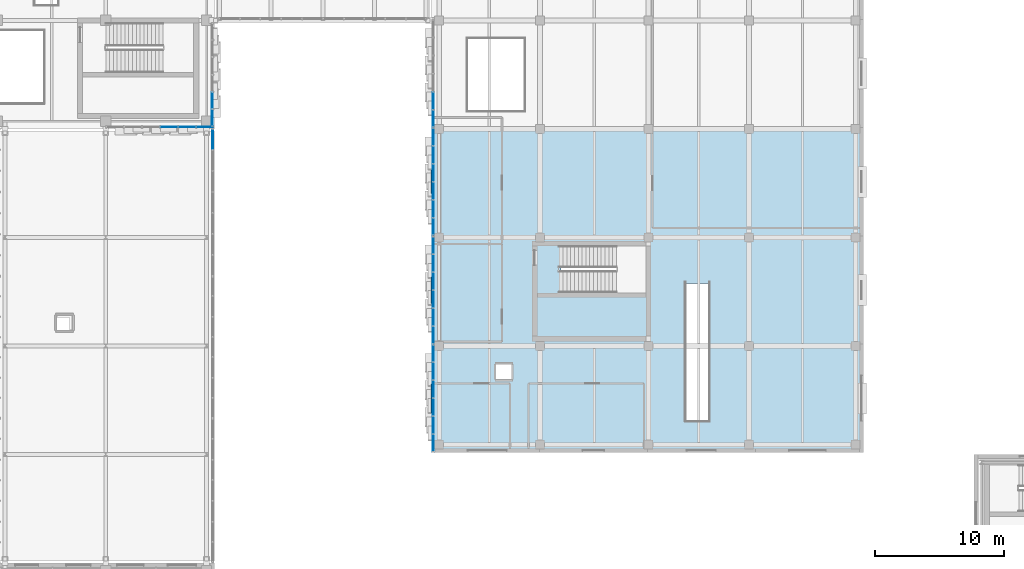
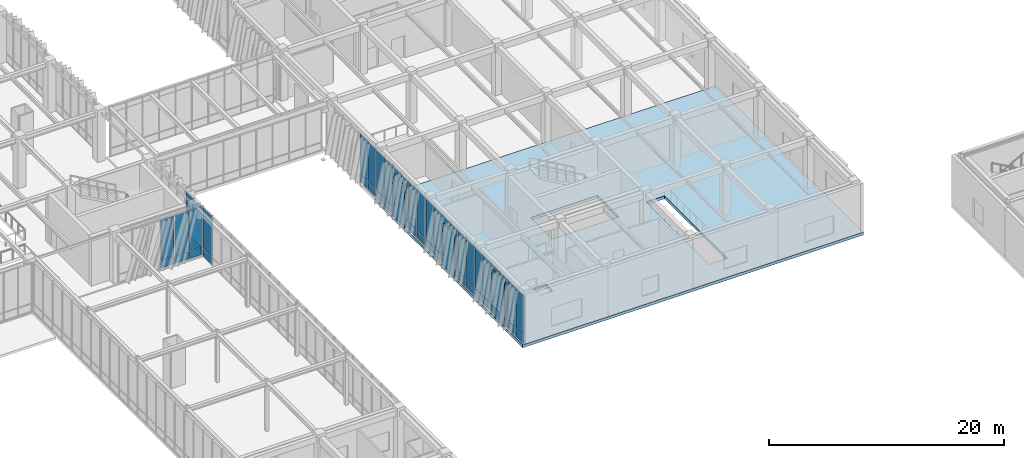
# One storey, part 90 of 139: 55 plates, 1 slab, 7 elements without a shape of their own.
"""IFC4 building model written with IfcOpenShell, lengths in metres."""

from ifc_helpers import new_model, si_unit, direction, frame, origin, origin_2d, place, context, subcontext, project, spatial, polyline, rectangle, outline, extrude, material, layer, layer_set, type_object, element, aggregate, save


model = new_model("IFC4")

# Units and contexts
model_context = context("Model", 3, precision=1e-05, world=origin(), true_north=direction((0.0, 1.0)))
body_context = subcontext(model_context, "Body", "Model", "MODEL_VIEW")
ifc_project = project(units=[si_unit("LENGTHUNIT", "METRE"), si_unit("AREAUNIT", "SQUARE_METRE"), si_unit("VOLUMEUNIT", "CUBIC_METRE"), si_unit("PLANEANGLEUNIT", "RADIAN"), si_unit("MASSUNIT", "GRAM", prefix="KILO")], contexts=[model_context])

# Site, building, storey
site_placement = place(None, origin())
site = spatial("IfcSite", under=ifc_project, at=site_placement, CompositionType="ELEMENT")
building_placement = place(site_placement, origin())
building = spatial("IfcBuilding", under=site, at=building_placement, Name="Zayran Congress Hotel", CompositionType="ELEMENT")
storey_placement = place(building_placement, frame((0.0, 0.0, 5.39990234375)))
storey = spatial("IfcBuildingStorey", under=building, at=storey_placement, Name="L01", CompositionType="ELEMENT", Elevation=5.39990234375)

# Slab
ifc_material_1 = material(Name="Concrete C32/40", Category="concrete")
ifc_layer_1 = layer(ifc_material_1, 0.300048828125)
ifc_layer_set_1 = layer_set([ifc_layer_1], Name="Concrete C32/40")
slab_type = type_object("IfcSlabType", Name="SL-FL-300", PredefinedType="FLOOR", material=ifc_layer_set_1)
slab_placement = place(storey_placement, frame((0.0, 0.0, -0.2998046875)))
element("IfcSlab", 1, at=slab_placement, inside=storey, type_object=slab_type, Name="SLB-V4-L01-019", PredefinedType="FLOOR", context=body_context, shape_type="SweptSolid", body=[
    extrude(outline(polyline([(109.199951171875, 42.550048828125), (142.64990234375, 42.550048828125), (142.64990234375, 67.60009765625), (109.199951171875, 67.60009765625), (109.199951171875, 42.550048828125)]), holes=[polyline([(119.239990234375, 54.909912109375), (125.800048828125, 54.909912109375), (125.800048828125, 58.550048828125), (119.239990234375, 58.550048828125), (119.239990234375, 54.909912109375)]), polyline([(128.89990234375, 45.0), (130.699951171875, 45.0), (130.699951171875, 55.64990234375), (128.89990234375, 55.64990234375), (128.89990234375, 45.0)]), polyline([(114.199951171875, 48.199951171875), (115.419921875, 48.199951171875), (115.419921875, 49.3798828125), (114.199951171875, 49.3798828125), (114.199951171875, 48.199951171875)])]), origin(), (0.0, 0.0, 1.0), 0.2998046875),
])

# Plates
ifc_material_2 = material(Name="Ajlun reconstituted limestone claustra", Category="masonry")
ifc_layer_2 = layer(ifc_material_2, 0.139892578125)
ifc_layer_set_2 = layer_set([ifc_layer_2], Name="Ajlun reconstituted limestone claustra")
plate_type_1 = type_object("IfcPlateType", Name="TP-CLS-02", PredefinedType="USERDEFINED", material=ifc_layer_set_2)
plate_1_placement = place(storey_placement, frame((109.280029296875, 46.739990234375, 0.0), z_axis=(0.0, 0.0, 1.0), x_axis=(0.0, 1.0, 0.0)))
element("IfcPlate", 2, at=plate_1_placement, inside=storey, type_object=plate_type_1, Name="Pierced Claustra Screen 17", ObjectType="CLAUSTRA SCREEN", PredefinedType="USERDEFINED", context=body_context, shape_type="SweptSolid", body=[
    extrude(rectangle(XDim=2.199951171875, YDim=0.139892578125, at=origin_2d()), origin(), (0.0, 0.0, 1.0), 4.60009765625),
])
ifc_layer_3 = layer(ifc_material_2, 0.139892578125)
ifc_layer_set_3 = layer_set([ifc_layer_3], Name="Ajlun reconstituted limestone claustra")
plate_type_2 = type_object("IfcPlateType", Name="TP-CLS-03", PredefinedType="USERDEFINED", material=ifc_layer_set_3)
plate_2_placement = place(storey_placement, frame((109.280029296875, 55.12109375, 0.000244140625), z_axis=(0.0, 0.0, 1.0), x_axis=(0.0, 1.0, 0.0)))
element("IfcPlate", 3, at=plate_2_placement, inside=storey, type_object=plate_type_2, Name="Pierced Claustra Screen 18", ObjectType="CLAUSTRA SCREEN", PredefinedType="USERDEFINED", context=body_context, shape_type="SweptSolid", body=[
    extrude(rectangle(XDim=2.0, YDim=0.139892578125, at=origin_2d()), origin(), (0.0, 0.0, 1.0), 4.39990234375),
])
ifc_layer_4 = layer(ifc_material_2, 0.139892578125)
ifc_layer_set_4 = layer_set([ifc_layer_4], Name="Ajlun reconstituted limestone claustra")
plate_type_3 = type_object("IfcPlateType", Name="TP-CLS-04", PredefinedType="USERDEFINED", material=ifc_layer_set_4)
plate_3_placement = place(storey_placement, frame((109.280029296875, 63.5029296875, 0.000244140625), z_axis=(0.0, 0.0, 1.0), x_axis=(0.0, 1.0, 0.0)))
element("IfcPlate", 4, at=plate_3_placement, inside=storey, type_object=plate_type_3, Name="Pierced Claustra Screen 19", ObjectType="CLAUSTRA SCREEN", PredefinedType="USERDEFINED", context=body_context, shape_type="SweptSolid", body=[
    extrude(rectangle(XDim=1.800048828125, YDim=0.139892578125, at=origin_2d()), origin(), (0.0, 0.0, 1.0), 4.39990234375),
])

# Curtain wall, plates
ifc_material_3 = material(Name="Anodised aluminium and low-E insulated glass", Category="aluminium")
ifc_layer_5 = layer(ifc_material_3, 0.179931640625)
ifc_layer_set_5 = layer_set([ifc_layer_5], Name="Anodised aluminium and low-E insulated glass")
curtain_wall_type_1 = type_object("IfcCurtainWallType", Name="CW-V1S-L01-CW-11-8380-5080", PredefinedType="USERDEFINED", material=ifc_layer_set_5)
curtain_wall_1_placement = place(storey_placement, origin())
curtain_wall_1 = element("IfcCurtainWall", 5, at=curtain_wall_1_placement, inside=storey, type_object=curtain_wall_type_1, Name="CW-V1S-L01-9", ObjectType="CURTAIN WALL", PredefinedType="USERDEFINED")
ifc_layer_6 = layer(ifc_material_3, 0.028076171875)
ifc_layer_set_6 = layer_set([ifc_layer_6], Name="Anodised aluminium and low-E insulated glass")
plate_type_4 = type_object("IfcPlateType", Name="CWP-GL-1277-4150", PredefinedType="CURTAIN_PANEL", material=ifc_layer_set_6)
plate_4_placement = place(storey_placement, frame((88.898193359375, 67.75, 0.8701171875), z_axis=(0.0, 0.0, 1.0), x_axis=(1.0, 0.0, 0.0)))
plate_4 = element("IfcPlate", 6, at=plate_4_placement, type_object=plate_type_4, Name="CW-11 Glazed Panel 4", PredefinedType="CURTAIN_PANEL", context=body_context, shape_type="SweptSolid", body=[
    extrude(rectangle(XDim=1.316650390625, YDim=0.028076171875, at=origin_2d()), origin(), (0.0, 0.0, 1.0), 4.14990234375),
])
plate_5_placement = place(storey_placement, frame((90.294921875, 67.75, 0.8701171875), z_axis=(0.0, 0.0, 1.0), x_axis=(1.0, 0.0, 0.0)))
plate_5 = element("IfcPlate", 7, at=plate_5_placement, type_object=plate_type_4, Name="CW-11 Glazed Panel 5", PredefinedType="CURTAIN_PANEL", context=body_context, shape_type="SweptSolid", body=[
    extrude(rectangle(XDim=1.316650390625, YDim=0.028076171875, at=origin_2d()), origin(), (0.0, 0.0, 1.0), 4.14990234375),
])
plate_6_placement = place(storey_placement, frame((91.671630859375, 67.75, 0.8701171875), z_axis=(0.0, 0.0, 1.0), x_axis=(1.0, 0.0, 0.0)))
plate_6 = element("IfcPlate", 8, at=plate_6_placement, type_object=plate_type_4, Name="CW-11 Glazed Panel 6", PredefinedType="CURTAIN_PANEL", context=body_context, shape_type="SweptSolid", body=[
    extrude(rectangle(XDim=1.276611328125, YDim=0.028076171875, at=origin_2d()), origin(), (0.0, 0.0, 1.0), 4.14990234375),
])
ifc_material_4 = material(Name="Insulated warm bronze aluminium spandrel panel", Category="aluminium")
ifc_layer_7 = layer(ifc_material_4, 0.06005859375)
ifc_layer_set_7 = layer_set([ifc_layer_7], Name="Insulated warm bronze aluminium spandrel panel")
plate_type_5 = type_object("IfcPlateType", Name="CWP-SP-1277-750", PredefinedType="CURTAIN_PANEL", material=ifc_layer_set_7)
plate_7_placement = place(storey_placement, frame((88.898193359375, 67.75, 0.06005859375), z_axis=(0.0, 0.0, 1.0), x_axis=(1.0, 0.0, 0.0)))
plate_7 = element("IfcPlate", 9, at=plate_7_placement, type_object=plate_type_5, Name="CW-11 Spandrel Panel 4", PredefinedType="CURTAIN_PANEL", context=body_context, shape_type="SweptSolid", body=[
    extrude(rectangle(XDim=1.316650390625, YDim=0.06005859375, at=origin_2d()), origin(), (0.0, 0.0, 1.0), 0.75),
])
plate_8_placement = place(storey_placement, frame((90.294921875, 67.75, 0.06005859375), z_axis=(0.0, 0.0, 1.0), x_axis=(1.0, 0.0, 0.0)))
plate_8 = element("IfcPlate", 10, at=plate_8_placement, type_object=plate_type_5, Name="CW-11 Spandrel Panel 5", PredefinedType="CURTAIN_PANEL", context=body_context, shape_type="SweptSolid", body=[
    extrude(rectangle(XDim=1.316650390625, YDim=0.06005859375, at=origin_2d()), origin(), (0.0, 0.0, 1.0), 0.75),
])
plate_9_placement = place(storey_placement, frame((91.671630859375, 67.75, 0.06005859375), z_axis=(0.0, 0.0, 1.0), x_axis=(1.0, 0.0, 0.0)))
plate_9 = element("IfcPlate", 11, at=plate_9_placement, type_object=plate_type_5, Name="CW-11 Spandrel Panel 6", PredefinedType="CURTAIN_PANEL", context=body_context, shape_type="SweptSolid", body=[
    extrude(rectangle(XDim=1.276611328125, YDim=0.06005859375, at=origin_2d()), origin(), (0.0, 0.0, 1.0), 0.75),
])
aggregate(curtain_wall_1, [plate_7, plate_4, plate_8, plate_5, plate_9, plate_6])

ifc_layer_8 = layer(ifc_material_3, 0.179931640625)
ifc_layer_set_8 = layer_set([ifc_layer_8], Name="Anodised aluminium and low-E insulated glass")
curtain_wall_type_2 = type_object("IfcCurtainWallType", Name="CW-V1E-L01-CW-41-8040-5080", PredefinedType="USERDEFINED", material=ifc_layer_set_8)
curtain_wall_2_placement = place(storey_placement, origin())
curtain_wall_2 = element("IfcCurtainWall", 12, at=curtain_wall_2_placement, inside=storey, type_object=curtain_wall_type_2, Name="CW-V1E-L01-0", ObjectType="CURTAIN WALL", PredefinedType="USERDEFINED")
ifc_layer_9 = layer(ifc_material_3, 0.028076171875)
ifc_layer_set_9 = layer_set([ifc_layer_9], Name="Anodised aluminium and low-E insulated glass")
plate_type_6 = type_object("IfcPlateType", Name="CWP-GL-1220-4150", PredefinedType="CURTAIN_PANEL", material=ifc_layer_set_9)
plate_10_placement = place(storey_placement, frame((92.25, 68.469970703125, 0.8701171875), z_axis=(0.0, 0.0, 1.0), x_axis=(0.0, 1.0, 0.0)))
plate_10 = element("IfcPlate", 13, at=plate_10_placement, type_object=plate_type_6, Name="CW-41 Glazed Panel 1", PredefinedType="CURTAIN_PANEL", context=body_context, shape_type="SweptSolid", body=[
    extrude(rectangle(XDim=1.219970703125, YDim=0.028076171875, at=origin_2d()), origin(), (0.0, 0.0, 1.0), 4.14990234375),
])
plate_11_placement = place(storey_placement, frame((92.25, 69.7900390625, 0.8701171875), z_axis=(0.0, 0.0, 1.0), x_axis=(0.0, 1.0, 0.0)))
plate_11 = element("IfcPlate", 14, at=plate_11_placement, type_object=plate_type_6, Name="CW-41 Glazed Panel 2", PredefinedType="CURTAIN_PANEL", context=body_context, shape_type="SweptSolid", body=[
    extrude(rectangle(XDim=1.260009765625, YDim=0.028076171875, at=origin_2d()), origin(), (0.0, 0.0, 1.0), 4.14990234375),
])
ifc_layer_10 = layer(ifc_material_4, 0.06005859375)
ifc_layer_set_10 = layer_set([ifc_layer_10], Name="Insulated warm bronze aluminium spandrel panel")
plate_type_7 = type_object("IfcPlateType", Name="CWP-SP-1220-750", PredefinedType="CURTAIN_PANEL", material=ifc_layer_set_10)
plate_12_placement = place(storey_placement, frame((92.25, 68.469970703125, 0.06005859375), z_axis=(0.0, 0.0, 1.0), x_axis=(0.0, 1.0, 0.0)))
plate_12 = element("IfcPlate", 15, at=plate_12_placement, type_object=plate_type_7, Name="CW-41 Spandrel Panel 1", PredefinedType="CURTAIN_PANEL", context=body_context, shape_type="SweptSolid", body=[
    extrude(rectangle(XDim=1.219970703125, YDim=0.06005859375, at=origin_2d()), origin(), (0.0, 0.0, 1.0), 0.75),
])
plate_13_placement = place(storey_placement, frame((92.25, 69.7900390625, 0.06005859375), z_axis=(0.0, 0.0, 1.0), x_axis=(0.0, 1.0, 0.0)))
plate_13 = element("IfcPlate", 16, at=plate_13_placement, type_object=plate_type_7, Name="CW-41 Spandrel Panel 2", PredefinedType="CURTAIN_PANEL", context=body_context, shape_type="SweptSolid", body=[
    extrude(rectangle(XDim=1.260009765625, YDim=0.06005859375, at=origin_2d()), origin(), (0.0, 0.0, 1.0), 0.75),
])
aggregate(curtain_wall_2, [plate_12, plate_10, plate_13, plate_11])

ifc_layer_11 = layer(ifc_material_3, 0.179931640625)
ifc_layer_set_11 = layer_set([ifc_layer_11], Name="Anodised aluminium and low-E insulated glass")
curtain_wall_type_3 = type_object("IfcCurtainWallType", Name="CW-V4W-L01-CW-51-8376-5100", PredefinedType="USERDEFINED", material=ifc_layer_set_11)
curtain_wall_3_placement = place(storey_placement, origin())
curtain_wall_3 = element("IfcCurtainWall", 17, at=curtain_wall_3_placement, inside=storey, type_object=curtain_wall_type_3, Name="CW-V4W-L01-0", ObjectType="CURTAIN WALL", PredefinedType="USERDEFINED")
ifc_layer_12 = layer(ifc_material_3, 0.028076171875)
ifc_layer_set_12 = layer_set([ifc_layer_12], Name="Anodised aluminium and low-E insulated glass")
plate_type_8 = type_object("IfcPlateType", Name="CWP-GL-1276-4170", PredefinedType="CURTAIN_PANEL", material=ifc_layer_set_12)
plate_14_placement = place(storey_placement, frame((109.35009765625, 50.2080078125, 0.8701171875), z_axis=(0.0, 0.0, 1.0), x_axis=(0.0, 1.0, 0.0)))
plate_14 = element("IfcPlate", 18, at=plate_14_placement, type_object=plate_type_8, Name="CW-51 Glazed Panel 1", PredefinedType="CURTAIN_PANEL", context=body_context, shape_type="SweptSolid", body=[
    extrude(rectangle(XDim=1.27587890625, YDim=0.028076171875, at=origin_2d()), origin(), (0.0, 0.0, 1.0), 4.169921875),
])
plate_15_placement = place(storey_placement, frame((109.35009765625, 48.83203125, 0.8701171875), z_axis=(0.0, 0.0, 1.0), x_axis=(0.0, 1.0, 0.0)))
plate_15 = element("IfcPlate", 19, at=plate_15_placement, type_object=plate_type_8, Name="CW-51 Glazed Panel 2", PredefinedType="CURTAIN_PANEL", context=body_context, shape_type="SweptSolid", body=[
    extrude(rectangle(XDim=1.31591796875, YDim=0.028076171875, at=origin_2d()), origin(), (0.0, 0.0, 1.0), 4.169921875),
])
plate_16_placement = place(storey_placement, frame((109.35009765625, 47.43603515625, 0.8701171875), z_axis=(0.0, 0.0, 1.0), x_axis=(0.0, 1.0, 0.0)))
plate_16 = element("IfcPlate", 20, at=plate_16_placement, type_object=plate_type_8, Name="CW-51 Glazed Panel 3", PredefinedType="CURTAIN_PANEL", context=body_context, shape_type="SweptSolid", body=[
    extrude(rectangle(XDim=1.31591796875, YDim=0.028076171875, at=origin_2d()), origin(), (0.0, 0.0, 1.0), 4.169921875),
])
plate_17_placement = place(storey_placement, frame((109.35009765625, 46.0400390625, 0.8701171875), z_axis=(0.0, 0.0, 1.0), x_axis=(0.0, 1.0, 0.0)))
plate_17 = element("IfcPlate", 21, at=plate_17_placement, type_object=plate_type_8, Name="CW-51 Glazed Panel 4", PredefinedType="CURTAIN_PANEL", context=body_context, shape_type="SweptSolid", body=[
    extrude(rectangle(XDim=1.31591796875, YDim=0.028076171875, at=origin_2d()), origin(), (0.0, 0.0, 1.0), 4.169921875),
])
plate_18_placement = place(storey_placement, frame((109.35009765625, 44.64404296875, 0.8701171875), z_axis=(0.0, 0.0, 1.0), x_axis=(0.0, 1.0, 0.0)))
plate_18 = element("IfcPlate", 22, at=plate_18_placement, type_object=plate_type_8, Name="CW-51 Glazed Panel 5", PredefinedType="CURTAIN_PANEL", context=body_context, shape_type="SweptSolid", body=[
    extrude(rectangle(XDim=1.31591796875, YDim=0.028076171875, at=origin_2d()), origin(), (0.0, 0.0, 1.0), 4.169921875),
])
plate_19_placement = place(storey_placement, frame((109.35009765625, 43.26806640625, 0.8701171875), z_axis=(0.0, 0.0, 1.0), x_axis=(0.0, 1.0, 0.0)))
plate_19 = element("IfcPlate", 23, at=plate_19_placement, type_object=plate_type_8, Name="CW-51 Glazed Panel 6", PredefinedType="CURTAIN_PANEL", context=body_context, shape_type="SweptSolid", body=[
    extrude(rectangle(XDim=1.27587890625, YDim=0.028076171875, at=origin_2d()), origin(), (0.0, 0.0, 1.0), 4.169921875),
])
ifc_layer_13 = layer(ifc_material_4, 0.06005859375)
ifc_layer_set_13 = layer_set([ifc_layer_13], Name="Insulated warm bronze aluminium spandrel panel")
plate_type_9 = type_object("IfcPlateType", Name="CWP-SP-1276-750", PredefinedType="CURTAIN_PANEL", material=ifc_layer_set_13)
plate_20_placement = place(storey_placement, frame((109.35009765625, 50.2080078125, 0.06005859375), z_axis=(0.0, 0.0, 1.0), x_axis=(0.0, 1.0, 0.0)))
plate_20 = element("IfcPlate", 24, at=plate_20_placement, type_object=plate_type_9, Name="CW-51 Spandrel Panel 1", PredefinedType="CURTAIN_PANEL", context=body_context, shape_type="SweptSolid", body=[
    extrude(rectangle(XDim=1.27587890625, YDim=0.06005859375, at=origin_2d()), origin(), (0.0, 0.0, 1.0), 0.75),
])
plate_21_placement = place(storey_placement, frame((109.35009765625, 48.83203125, 0.06005859375), z_axis=(0.0, 0.0, 1.0), x_axis=(0.0, 1.0, 0.0)))
plate_21 = element("IfcPlate", 25, at=plate_21_placement, type_object=plate_type_9, Name="CW-51 Spandrel Panel 2", PredefinedType="CURTAIN_PANEL", context=body_context, shape_type="SweptSolid", body=[
    extrude(rectangle(XDim=1.31591796875, YDim=0.06005859375, at=origin_2d()), origin(), (0.0, 0.0, 1.0), 0.75),
])
plate_22_placement = place(storey_placement, frame((109.35009765625, 47.43603515625, 0.06005859375), z_axis=(0.0, 0.0, 1.0), x_axis=(0.0, 1.0, 0.0)))
plate_22 = element("IfcPlate", 26, at=plate_22_placement, type_object=plate_type_9, Name="CW-51 Spandrel Panel 3", PredefinedType="CURTAIN_PANEL", context=body_context, shape_type="SweptSolid", body=[
    extrude(rectangle(XDim=1.31591796875, YDim=0.06005859375, at=origin_2d()), origin(), (0.0, 0.0, 1.0), 0.75),
])
plate_23_placement = place(storey_placement, frame((109.35009765625, 46.0400390625, 0.06005859375), z_axis=(0.0, 0.0, 1.0), x_axis=(0.0, 1.0, 0.0)))
plate_23 = element("IfcPlate", 27, at=plate_23_placement, type_object=plate_type_9, Name="CW-51 Spandrel Panel 4", PredefinedType="CURTAIN_PANEL", context=body_context, shape_type="SweptSolid", body=[
    extrude(rectangle(XDim=1.31591796875, YDim=0.06005859375, at=origin_2d()), origin(), (0.0, 0.0, 1.0), 0.75),
])
plate_24_placement = place(storey_placement, frame((109.35009765625, 44.64404296875, 0.06005859375), z_axis=(0.0, 0.0, 1.0), x_axis=(0.0, 1.0, 0.0)))
plate_24 = element("IfcPlate", 28, at=plate_24_placement, type_object=plate_type_9, Name="CW-51 Spandrel Panel 5", PredefinedType="CURTAIN_PANEL", context=body_context, shape_type="SweptSolid", body=[
    extrude(rectangle(XDim=1.31591796875, YDim=0.06005859375, at=origin_2d()), origin(), (0.0, 0.0, 1.0), 0.75),
])
plate_25_placement = place(storey_placement, frame((109.35009765625, 43.26806640625, 0.06005859375), z_axis=(0.0, 0.0, 1.0), x_axis=(0.0, 1.0, 0.0)))
plate_25 = element("IfcPlate", 29, at=plate_25_placement, type_object=plate_type_9, Name="CW-51 Spandrel Panel 6", PredefinedType="CURTAIN_PANEL", context=body_context, shape_type="SweptSolid", body=[
    extrude(rectangle(XDim=1.27587890625, YDim=0.06005859375, at=origin_2d()), origin(), (0.0, 0.0, 1.0), 0.75),
])
aggregate(curtain_wall_3, [plate_20, plate_14, plate_21, plate_15, plate_22, plate_16, plate_23, plate_17, plate_24, plate_18, plate_25, plate_19])

ifc_layer_14 = layer(ifc_material_3, 0.179931640625)
ifc_layer_set_14 = layer_set([ifc_layer_14], Name="Anodised aluminium and low-E insulated glass")
curtain_wall_type_4 = type_object("IfcCurtainWallType", Name="CW-V4W-L01-CW-52-8371-5100", PredefinedType="USERDEFINED", material=ifc_layer_set_14)
curtain_wall_4_placement = place(storey_placement, origin())
curtain_wall_4 = element("IfcCurtainWall", 30, at=curtain_wall_4_placement, inside=storey, type_object=curtain_wall_type_4, Name="CW-V4W-L01-1", ObjectType="CURTAIN WALL", PredefinedType="USERDEFINED")
ifc_layer_15 = layer(ifc_material_3, 0.028076171875)
ifc_layer_set_15 = layer_set([ifc_layer_15], Name="Anodised aluminium and low-E insulated glass")
plate_type_10 = type_object("IfcPlateType", Name="CWP-GL-1275-4170", PredefinedType="CURTAIN_PANEL", material=ifc_layer_set_15)
plate_26_placement = place(storey_placement, frame((109.35009765625, 58.58935546875, 0.8701171875), z_axis=(0.0, 0.0, 1.0), x_axis=(0.0, 1.0, 0.0)))
plate_26 = element("IfcPlate", 31, at=plate_26_placement, type_object=plate_type_10, Name="CW-52 Glazed Panel 1", PredefinedType="CURTAIN_PANEL", context=body_context, shape_type="SweptSolid", body=[
    extrude(rectangle(XDim=1.275146484375, YDim=0.028076171875, at=origin_2d()), origin(), (0.0, 0.0, 1.0), 4.169921875),
])
plate_27_placement = place(storey_placement, frame((109.35009765625, 57.214111328125, 0.8701171875), z_axis=(0.0, 0.0, 1.0), x_axis=(0.0, 1.0, 0.0)))
plate_27 = element("IfcPlate", 32, at=plate_27_placement, type_object=plate_type_10, Name="CW-52 Glazed Panel 2", PredefinedType="CURTAIN_PANEL", context=body_context, shape_type="SweptSolid", body=[
    extrude(rectangle(XDim=1.315185546875, YDim=0.028076171875, at=origin_2d()), origin(), (0.0, 0.0, 1.0), 4.169921875),
])
plate_28_placement = place(storey_placement, frame((109.35009765625, 55.819091796875, 0.8701171875), z_axis=(0.0, 0.0, 1.0), x_axis=(0.0, 1.0, 0.0)))
plate_28 = element("IfcPlate", 33, at=plate_28_placement, type_object=plate_type_10, Name="CW-52 Glazed Panel 3", PredefinedType="CURTAIN_PANEL", context=body_context, shape_type="SweptSolid", body=[
    extrude(rectangle(XDim=1.315185546875, YDim=0.028076171875, at=origin_2d()), origin(), (0.0, 0.0, 1.0), 4.169921875),
])
plate_29_placement = place(storey_placement, frame((109.35009765625, 54.423828125, 0.8701171875), z_axis=(0.0, 0.0, 1.0), x_axis=(0.0, 1.0, 0.0)))
plate_29 = element("IfcPlate", 34, at=plate_29_placement, type_object=plate_type_10, Name="CW-52 Glazed Panel 4", PredefinedType="CURTAIN_PANEL", context=body_context, shape_type="SweptSolid", body=[
    extrude(rectangle(XDim=1.315185546875, YDim=0.028076171875, at=origin_2d()), origin(), (0.0, 0.0, 1.0), 4.169921875),
])
plate_30_placement = place(storey_placement, frame((109.35009765625, 53.02880859375, 0.8701171875), z_axis=(0.0, 0.0, 1.0), x_axis=(0.0, 1.0, 0.0)))
plate_30 = element("IfcPlate", 35, at=plate_30_placement, type_object=plate_type_10, Name="CW-52 Glazed Panel 5", PredefinedType="CURTAIN_PANEL", context=body_context, shape_type="SweptSolid", body=[
    extrude(rectangle(XDim=1.315185546875, YDim=0.028076171875, at=origin_2d()), origin(), (0.0, 0.0, 1.0), 4.169921875),
])
plate_31_placement = place(storey_placement, frame((109.35009765625, 51.653564453125, 0.8701171875), z_axis=(0.0, 0.0, 1.0), x_axis=(0.0, 1.0, 0.0)))
plate_31 = element("IfcPlate", 36, at=plate_31_placement, type_object=plate_type_10, Name="CW-52 Glazed Panel 6", PredefinedType="CURTAIN_PANEL", context=body_context, shape_type="SweptSolid", body=[
    extrude(rectangle(XDim=1.275146484375, YDim=0.028076171875, at=origin_2d()), origin(), (0.0, 0.0, 1.0), 4.169921875),
])

ifc_layer_16 = layer(ifc_material_3, 0.179931640625)
ifc_layer_set_16 = layer_set([ifc_layer_16], Name="Anodised aluminium and low-E insulated glass")
curtain_wall_type_5 = type_object("IfcCurtainWallType", Name="CW-V4W-L01-CW-53-8372-5100", PredefinedType="USERDEFINED", material=ifc_layer_set_16)
curtain_wall_5_placement = place(storey_placement, origin())
curtain_wall_5 = element("IfcCurtainWall", 37, at=curtain_wall_5_placement, inside=storey, type_object=curtain_wall_type_5, Name="CW-V4W-L01-2", ObjectType="CURTAIN WALL", PredefinedType="USERDEFINED")
plate_32_placement = place(storey_placement, frame((109.35009765625, 66.97119140625, 0.8701171875), z_axis=(0.0, 0.0, 1.0), x_axis=(0.0, 1.0, 0.0)))
plate_32 = element("IfcPlate", 38, at=plate_32_placement, type_object=plate_type_10, Name="CW-53 Glazed Panel 1", PredefinedType="CURTAIN_PANEL", context=body_context, shape_type="SweptSolid", body=[
    extrude(rectangle(XDim=1.275390625, YDim=0.028076171875, at=origin_2d()), origin(), (0.0, 0.0, 1.0), 4.169921875),
])
plate_33_placement = place(storey_placement, frame((109.35009765625, 65.595947265625, 0.8701171875), z_axis=(0.0, 0.0, 1.0), x_axis=(0.0, 1.0, 0.0)))
plate_33 = element("IfcPlate", 39, at=plate_33_placement, type_object=plate_type_10, Name="CW-53 Glazed Panel 2", PredefinedType="CURTAIN_PANEL", context=body_context, shape_type="SweptSolid", body=[
    extrude(rectangle(XDim=1.315185546875, YDim=0.028076171875, at=origin_2d()), origin(), (0.0, 0.0, 1.0), 4.169921875),
])
plate_34_placement = place(storey_placement, frame((109.35009765625, 64.20068359375, 0.8701171875), z_axis=(0.0, 0.0, 1.0), x_axis=(0.0, 1.0, 0.0)))
plate_34 = element("IfcPlate", 40, at=plate_34_placement, type_object=plate_type_10, Name="CW-53 Glazed Panel 3", PredefinedType="CURTAIN_PANEL", context=body_context, shape_type="SweptSolid", body=[
    extrude(rectangle(XDim=1.315185546875, YDim=0.028076171875, at=origin_2d()), origin(), (0.0, 0.0, 1.0), 4.169921875),
])
plate_35_placement = place(storey_placement, frame((109.35009765625, 62.805419921875, 0.8701171875), z_axis=(0.0, 0.0, 1.0), x_axis=(0.0, 1.0, 0.0)))
plate_35 = element("IfcPlate", 41, at=plate_35_placement, type_object=plate_type_10, Name="CW-53 Glazed Panel 4", PredefinedType="CURTAIN_PANEL", context=body_context, shape_type="SweptSolid", body=[
    extrude(rectangle(XDim=1.315185546875, YDim=0.028076171875, at=origin_2d()), origin(), (0.0, 0.0, 1.0), 4.169921875),
])
plate_36_placement = place(storey_placement, frame((109.35009765625, 61.409912109375, 0.8701171875), z_axis=(0.0, 0.0, 1.0), x_axis=(0.0, 1.0, 0.0)))
plate_36 = element("IfcPlate", 42, at=plate_36_placement, type_object=plate_type_10, Name="CW-53 Glazed Panel 5", PredefinedType="CURTAIN_PANEL", context=body_context, shape_type="SweptSolid", body=[
    extrude(rectangle(XDim=1.315185546875, YDim=0.028076171875, at=origin_2d()), origin(), (0.0, 0.0, 1.0), 4.169921875),
])
plate_37_placement = place(storey_placement, frame((109.35009765625, 60.03466796875, 0.8701171875), z_axis=(0.0, 0.0, 1.0), x_axis=(0.0, 1.0, 0.0)))
plate_37 = element("IfcPlate", 43, at=plate_37_placement, type_object=plate_type_10, Name="CW-53 Glazed Panel 6", PredefinedType="CURTAIN_PANEL", context=body_context, shape_type="SweptSolid", body=[
    extrude(rectangle(XDim=1.275390625, YDim=0.028076171875, at=origin_2d()), origin(), (0.0, 0.0, 1.0), 4.169921875),
])

ifc_layer_17 = layer(ifc_material_3, 0.179931640625)
ifc_layer_set_17 = layer_set([ifc_layer_17], Name="Anodised aluminium and low-E insulated glass")
curtain_wall_type_6 = type_object("IfcCurtainWallType", Name="CW-V4W-L01-CW-51-8371-5100", PredefinedType="USERDEFINED", material=ifc_layer_set_17)
curtain_wall_6_placement = place(storey_placement, origin())
curtain_wall_6 = element("IfcCurtainWall", 44, at=curtain_wall_6_placement, inside=storey, type_object=curtain_wall_type_6, Name="CW-V4W-L01-3", ObjectType="CURTAIN WALL", PredefinedType="USERDEFINED")
plate_38_placement = place(storey_placement, frame((109.35009765625, 69.791748046875, 0.8701171875), z_axis=(0.0, 0.0, 1.0), x_axis=(0.0, 1.0, 0.0)))
plate_38 = element("IfcPlate", 45, at=plate_38_placement, type_object=plate_type_10, Name="CW-51 Glazed Panel 5", PredefinedType="CURTAIN_PANEL", context=body_context, shape_type="SweptSolid", body=[
    extrude(rectangle(XDim=1.315185546875, YDim=0.028076171875, at=origin_2d()), origin(), (0.0, 0.0, 1.0), 4.169921875),
])
plate_39_placement = place(storey_placement, frame((109.35009765625, 68.41650390625, 0.8701171875), z_axis=(0.0, 0.0, 1.0), x_axis=(0.0, 1.0, 0.0)))
plate_39 = element("IfcPlate", 46, at=plate_39_placement, type_object=plate_type_10, Name="CW-51 Glazed Panel 6", PredefinedType="CURTAIN_PANEL", context=body_context, shape_type="SweptSolid", body=[
    extrude(rectangle(XDim=1.275146484375, YDim=0.028076171875, at=origin_2d()), origin(), (0.0, 0.0, 1.0), 4.169921875),
])

# Plate
ifc_layer_18 = layer(ifc_material_4, 0.06005859375)
ifc_layer_set_18 = layer_set([ifc_layer_18], Name="Insulated warm bronze aluminium spandrel panel")
plate_type_11 = type_object("IfcPlateType", Name="CWP-SP-1275-750", PredefinedType="CURTAIN_PANEL", material=ifc_layer_set_18)
plate_40_placement = place(storey_placement, frame((109.35009765625, 58.58935546875, 0.06005859375), z_axis=(0.0, 0.0, 1.0), x_axis=(0.0, 1.0, 0.0)))
plate_40 = element("IfcPlate", 47, at=plate_40_placement, type_object=plate_type_11, Name="CW-52 Spandrel Panel 1", PredefinedType="CURTAIN_PANEL", context=body_context, shape_type="SweptSolid", body=[
    extrude(rectangle(XDim=1.275146484375, YDim=0.06005859375, at=origin_2d()), origin(), (0.0, 0.0, 1.0), 0.75),
])

plate_41_placement = place(storey_placement, frame((109.35009765625, 57.214111328125, 0.06005859375), z_axis=(0.0, 0.0, 1.0), x_axis=(0.0, 1.0, 0.0)))
plate_41 = element("IfcPlate", 48, at=plate_41_placement, type_object=plate_type_11, Name="CW-52 Spandrel Panel 2", PredefinedType="CURTAIN_PANEL", context=body_context, shape_type="SweptSolid", body=[
    extrude(rectangle(XDim=1.315185546875, YDim=0.06005859375, at=origin_2d()), origin(), (0.0, 0.0, 1.0), 0.75),
])

plate_42_placement = place(storey_placement, frame((109.35009765625, 55.819091796875, 0.06005859375), z_axis=(0.0, 0.0, 1.0), x_axis=(0.0, 1.0, 0.0)))
plate_42 = element("IfcPlate", 49, at=plate_42_placement, type_object=plate_type_11, Name="CW-52 Spandrel Panel 3", PredefinedType="CURTAIN_PANEL", context=body_context, shape_type="SweptSolid", body=[
    extrude(rectangle(XDim=1.315185546875, YDim=0.06005859375, at=origin_2d()), origin(), (0.0, 0.0, 1.0), 0.75),
])

plate_43_placement = place(storey_placement, frame((109.35009765625, 54.423828125, 0.06005859375), z_axis=(0.0, 0.0, 1.0), x_axis=(0.0, 1.0, 0.0)))
plate_43 = element("IfcPlate", 50, at=plate_43_placement, type_object=plate_type_11, Name="CW-52 Spandrel Panel 4", PredefinedType="CURTAIN_PANEL", context=body_context, shape_type="SweptSolid", body=[
    extrude(rectangle(XDim=1.315185546875, YDim=0.06005859375, at=origin_2d()), origin(), (0.0, 0.0, 1.0), 0.75),
])

plate_44_placement = place(storey_placement, frame((109.35009765625, 53.02880859375, 0.06005859375), z_axis=(0.0, 0.0, 1.0), x_axis=(0.0, 1.0, 0.0)))
plate_44 = element("IfcPlate", 51, at=plate_44_placement, type_object=plate_type_11, Name="CW-52 Spandrel Panel 5", PredefinedType="CURTAIN_PANEL", context=body_context, shape_type="SweptSolid", body=[
    extrude(rectangle(XDim=1.315185546875, YDim=0.06005859375, at=origin_2d()), origin(), (0.0, 0.0, 1.0), 0.75),
])

plate_45_placement = place(storey_placement, frame((109.35009765625, 51.653564453125, 0.06005859375), z_axis=(0.0, 0.0, 1.0), x_axis=(0.0, 1.0, 0.0)))
plate_45 = element("IfcPlate", 52, at=plate_45_placement, type_object=plate_type_11, Name="CW-52 Spandrel Panel 6", PredefinedType="CURTAIN_PANEL", context=body_context, shape_type="SweptSolid", body=[
    extrude(rectangle(XDim=1.275146484375, YDim=0.06005859375, at=origin_2d()), origin(), (0.0, 0.0, 1.0), 0.75),
])

aggregate(curtain_wall_4, [plate_40, plate_26, plate_41, plate_27, plate_42, plate_28, plate_43, plate_29, plate_44, plate_30, plate_45, plate_31])

plate_46_placement = place(storey_placement, frame((109.35009765625, 66.97119140625, 0.06005859375), z_axis=(0.0, 0.0, 1.0), x_axis=(0.0, 1.0, 0.0)))
plate_46 = element("IfcPlate", 53, at=plate_46_placement, type_object=plate_type_11, Name="CW-53 Spandrel Panel 1", PredefinedType="CURTAIN_PANEL", context=body_context, shape_type="SweptSolid", body=[
    extrude(rectangle(XDim=1.275390625, YDim=0.06005859375, at=origin_2d()), origin(), (0.0, 0.0, 1.0), 0.75),
])

plate_47_placement = place(storey_placement, frame((109.35009765625, 65.595947265625, 0.06005859375), z_axis=(0.0, 0.0, 1.0), x_axis=(0.0, 1.0, 0.0)))
plate_47 = element("IfcPlate", 54, at=plate_47_placement, type_object=plate_type_11, Name="CW-53 Spandrel Panel 2", PredefinedType="CURTAIN_PANEL", context=body_context, shape_type="SweptSolid", body=[
    extrude(rectangle(XDim=1.315185546875, YDim=0.06005859375, at=origin_2d()), origin(), (0.0, 0.0, 1.0), 0.75),
])

plate_48_placement = place(storey_placement, frame((109.35009765625, 64.20068359375, 0.06005859375), z_axis=(0.0, 0.0, 1.0), x_axis=(0.0, 1.0, 0.0)))
plate_48 = element("IfcPlate", 55, at=plate_48_placement, type_object=plate_type_11, Name="CW-53 Spandrel Panel 3", PredefinedType="CURTAIN_PANEL", context=body_context, shape_type="SweptSolid", body=[
    extrude(rectangle(XDim=1.315185546875, YDim=0.06005859375, at=origin_2d()), origin(), (0.0, 0.0, 1.0), 0.75),
])

plate_49_placement = place(storey_placement, frame((109.35009765625, 62.805419921875, 0.06005859375), z_axis=(0.0, 0.0, 1.0), x_axis=(0.0, 1.0, 0.0)))
plate_49 = element("IfcPlate", 56, at=plate_49_placement, type_object=plate_type_11, Name="CW-53 Spandrel Panel 4", PredefinedType="CURTAIN_PANEL", context=body_context, shape_type="SweptSolid", body=[
    extrude(rectangle(XDim=1.315185546875, YDim=0.06005859375, at=origin_2d()), origin(), (0.0, 0.0, 1.0), 0.75),
])

plate_50_placement = place(storey_placement, frame((109.35009765625, 61.409912109375, 0.06005859375), z_axis=(0.0, 0.0, 1.0), x_axis=(0.0, 1.0, 0.0)))
plate_50 = element("IfcPlate", 57, at=plate_50_placement, type_object=plate_type_11, Name="CW-53 Spandrel Panel 5", PredefinedType="CURTAIN_PANEL", context=body_context, shape_type="SweptSolid", body=[
    extrude(rectangle(XDim=1.315185546875, YDim=0.06005859375, at=origin_2d()), origin(), (0.0, 0.0, 1.0), 0.75),
])

plate_51_placement = place(storey_placement, frame((109.35009765625, 60.03466796875, 0.06005859375), z_axis=(0.0, 0.0, 1.0), x_axis=(0.0, 1.0, 0.0)))
plate_51 = element("IfcPlate", 58, at=plate_51_placement, type_object=plate_type_11, Name="CW-53 Spandrel Panel 6", PredefinedType="CURTAIN_PANEL", context=body_context, shape_type="SweptSolid", body=[
    extrude(rectangle(XDim=1.275390625, YDim=0.06005859375, at=origin_2d()), origin(), (0.0, 0.0, 1.0), 0.75),
])

aggregate(curtain_wall_5, [plate_46, plate_32, plate_47, plate_33, plate_48, plate_34, plate_49, plate_35, plate_50, plate_36, plate_51, plate_37])

plate_52_placement = place(storey_placement, frame((109.35009765625, 69.791748046875, 0.06005859375), z_axis=(0.0, 0.0, 1.0), x_axis=(0.0, 1.0, 0.0)))
plate_52 = element("IfcPlate", 59, at=plate_52_placement, type_object=plate_type_11, Name="CW-51 Spandrel Panel 5", PredefinedType="CURTAIN_PANEL", context=body_context, shape_type="SweptSolid", body=[
    extrude(rectangle(XDim=1.315185546875, YDim=0.06005859375, at=origin_2d()), origin(), (0.0, 0.0, 1.0), 0.75),
])

plate_53_placement = place(storey_placement, frame((109.35009765625, 68.41650390625, 0.06005859375), z_axis=(0.0, 0.0, 1.0), x_axis=(0.0, 1.0, 0.0)))
plate_53 = element("IfcPlate", 60, at=plate_53_placement, type_object=plate_type_11, Name="CW-51 Spandrel Panel 6", PredefinedType="CURTAIN_PANEL", context=body_context, shape_type="SweptSolid", body=[
    extrude(rectangle(XDim=1.275146484375, YDim=0.06005859375, at=origin_2d()), origin(), (0.0, 0.0, 1.0), 0.75),
])

aggregate(curtain_wall_6, [plate_52, plate_38, plate_53, plate_39])

# Curtain wall, plates
ifc_layer_19 = layer(ifc_material_3, 0.179931640625)
ifc_layer_set_19 = layer_set([ifc_layer_19], Name="Anodised aluminium and low-E insulated glass")
curtain_wall_type_7 = type_object("IfcCurtainWallType", Name="CW-BR2-L01-CW-BR2-11400-5160", PredefinedType="USERDEFINED", material=ifc_layer_set_19)
curtain_wall_7_placement = place(storey_placement, origin())
curtain_wall_7 = element("IfcCurtainWall", 61, at=curtain_wall_7_placement, inside=storey, type_object=curtain_wall_type_7, Name="CW-BR2E-L01-2", ObjectType="CURTAIN WALL", PredefinedType="USERDEFINED")
ifc_layer_20 = layer(ifc_material_4, 0.06005859375)
ifc_layer_set_20 = layer_set([ifc_layer_20], Name="Insulated warm bronze aluminium spandrel panel")
plate_type_12 = type_object("IfcPlateType", Name="CWP-SP-1509-750", PredefinedType="CURTAIN_PANEL", material=ifc_layer_set_20)
plate_54_placement = place(storey_placement, frame((92.280029296875, 66.765625, 0.06005859375), z_axis=(0.0, 0.0, 1.0), x_axis=(0.0, 1.0, 0.0)))
plate_54 = element("IfcPlate", 62, at=plate_54_placement, type_object=plate_type_12, Name="CW-BR2 Spandrel Panel 7", PredefinedType="CURTAIN_PANEL", context=body_context, shape_type="SweptSolid", body=[
    extrude(rectangle(XDim=1.508544921875, YDim=0.06005859375, at=origin_2d()), origin(), (0.0, 0.0, 1.0), 0.75),
])
ifc_layer_21 = layer(ifc_material_3, 0.028076171875)
ifc_layer_set_21 = layer_set([ifc_layer_21], Name="Anodised aluminium and low-E insulated glass")
plate_type_13 = type_object("IfcPlateType", Name="CWP-GL-1509-4230", PredefinedType="CURTAIN_PANEL", material=ifc_layer_set_21)
plate_55_placement = place(storey_placement, frame((92.280029296875, 66.765625, 0.8701171875), z_axis=(0.0, 0.0, 1.0), x_axis=(0.0, 1.0, 0.0)))
plate_55 = element("IfcPlate", 63, at=plate_55_placement, type_object=plate_type_13, Name="CW-BR2 Glazed Panel 7", PredefinedType="CURTAIN_PANEL", context=body_context, shape_type="SweptSolid", body=[
    extrude(rectangle(XDim=1.508544921875, YDim=0.028076171875, at=origin_2d()), origin(), (0.0, 0.0, 1.0), 4.22998046875),
])
aggregate(curtain_wall_7, [plate_54, plate_55])

save(model, "model.ifc")
